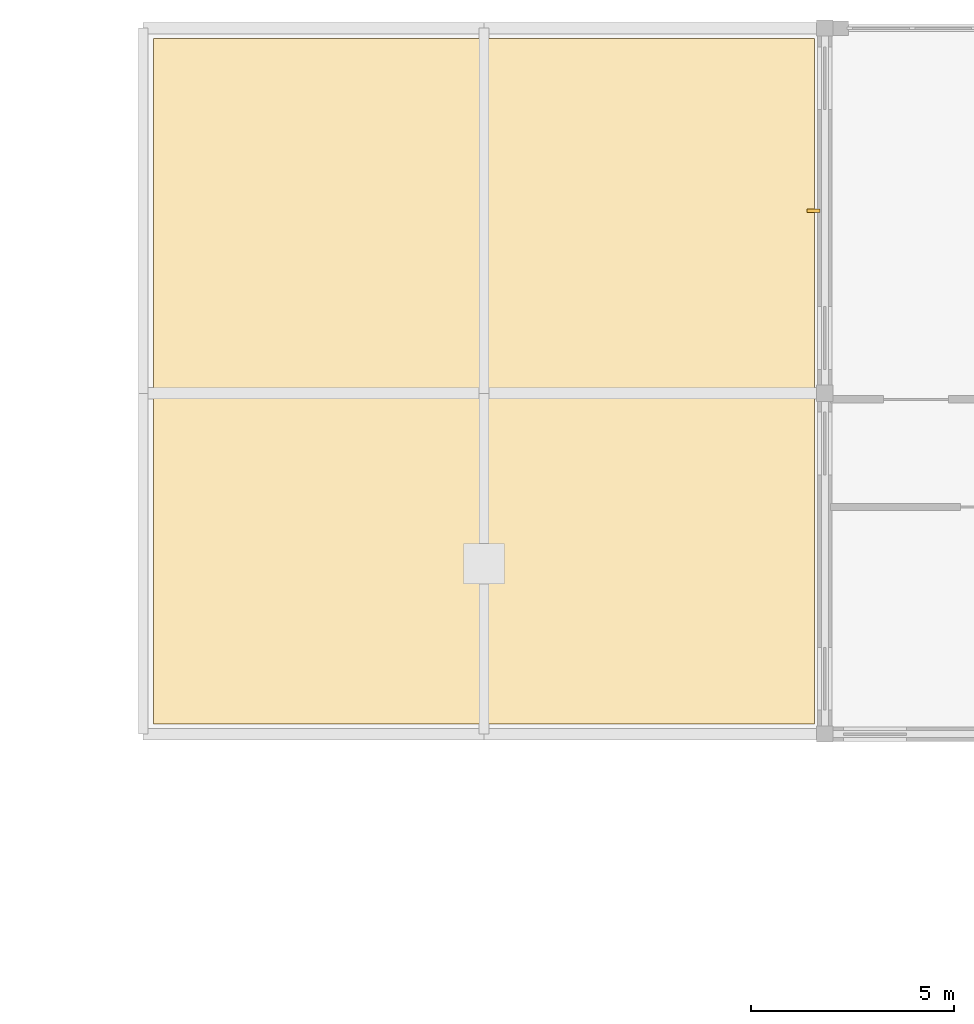
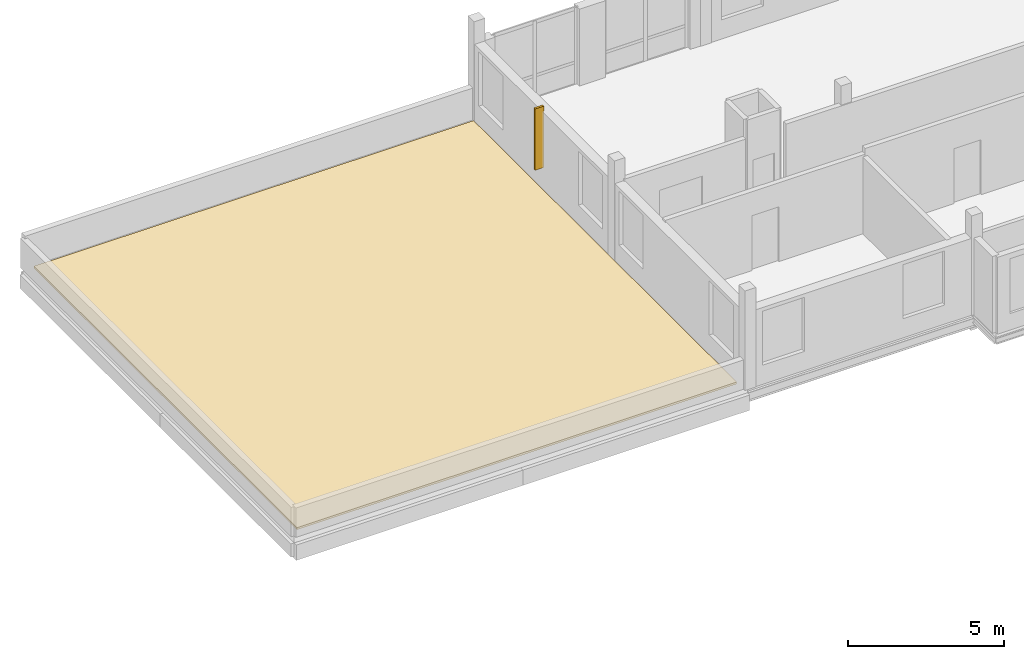
# One storey, part 56 of 57: 1 covering, 1 shading device.
"""IFC4 building model written with IfcOpenShell, lengths in metres."""

import ifcopenshell
import ifcopenshell.guid

model = None  # the IFC model being written
_history = None  # IfcOwnerHistory: only IFC2X3 demands one
_inside = {}  # id of a spatial element -> (the spatial element, [elements in it])
_under = {}  # id of a project, library or spatial element -> (it, [spatial elements below it])
_declared = {}  # id of a project -> (the project, [libraries it declares])
_typed = {}  # id of a type object -> (the type object, [elements of that type])
_made_of = {}  # id of a material, layer set ... -> (it, [elements and type objects made of it])


def new_model(schema):
    """Start an empty IFC model of exactly this schema.

    Asked for "IFC4X3", IfcOpenShell would pick the latest addendum, in which some entities
    have other attributes; the version numbers below select the first issue.
    IFC2X3 requires an IfcOwnerHistory on every rooted entity: one is made here for all.
    """
    global model, _history
    if schema == "IFC4X3":
        model = ifcopenshell.file(schema_version=(4, 3, 0, 0))
    else:
        model = ifcopenshell.file(schema=schema)
    _inside.clear()
    _under.clear()
    _declared.clear()
    _typed.clear()
    _made_of.clear()
    _history = None
    if model.schema == "IFC2X3":
        org = make("IfcOrganization", Name="unknown")
        user = make(
            "IfcPersonAndOrganization",
            ThePerson=make("IfcPerson", FamilyName="unknown"),
            TheOrganization=org,
        )
        app = make(
            "IfcApplication",
            ApplicationDeveloper=org,
            Version="unknown",
            ApplicationFullName="unknown",
            ApplicationIdentifier="unknown",
        )
        _history = make(
            "IfcOwnerHistory",
            OwningUser=user,
            OwningApplication=app,
            ChangeAction="ADDED",
            CreationDate=0,
        )
    return model


def make(cls, **values):
    """One entity of the class cls with the attributes given. An attribute that is None is left unset."""
    return model.create_entity(
        cls, **{name: value for name, value in values.items() if value is not None}
    )


def rooted(cls, **values):
    """An entity with a GlobalId (a new one), such as an element, a storey or a relation."""
    return make(cls, GlobalId=ifcopenshell.guid.new(), OwnerHistory=_history, **values)


def si_unit(unit_type, name, prefix=None):
    """IfcSIUnit, for example si_unit("LENGTHUNIT", "METRE", prefix="MILLI")."""
    return make("IfcSIUnit", UnitType=unit_type, Prefix=prefix, Name=name)


def assignment(units):
    """IfcUnitAssignment: the units of a project."""
    return None if units is None else make("IfcUnitAssignment", Units=units)


def point(xyz):
    """IfcCartesianPoint."""
    return None if xyz is None else make("IfcCartesianPoint", Coordinates=xyz)


def direction(xyz):
    """IfcDirection."""
    return None if xyz is None else make("IfcDirection", DirectionRatios=xyz)


def frame(location, z_axis=None, x_axis=None):
    """IfcAxis2Placement3D, a coordinate frame: its origin and axes. An axis left out is left unset."""
    return make(
        "IfcAxis2Placement3D",
        Location=point(location),
        Axis=direction(z_axis),
        RefDirection=direction(x_axis),
    )


def frame_2d(location, x_axis=None):
    """IfcAxis2Placement2D, a coordinate frame in the plane: its origin and x axis."""
    return make(
        "IfcAxis2Placement2D", Location=point(location), RefDirection=direction(x_axis)
    )


def origin():
    """The frame at (0, 0, 0) with its axes left unset."""
    return frame((0.0, 0.0, 0.0))


def origin_2d():
    """The frame at (0, 0) in the plane with its x axis left unset."""
    return frame_2d((0.0, 0.0))


def place(relative_to, where):
    """IfcLocalPlacement: puts the frame where relative to a parent placement (None: the world)."""
    return make(
        "IfcLocalPlacement", PlacementRelTo=relative_to, RelativePlacement=where
    )


def context(
    kind, dimensions, precision=None, world=None, true_north=None, identifier=None
):
    """IfcGeometricRepresentationContext, for example the 3D "Model" context."""
    return make(
        "IfcGeometricRepresentationContext",
        ContextIdentifier=identifier,
        ContextType=kind,
        CoordinateSpaceDimension=dimensions,
        Precision=precision,
        WorldCoordinateSystem=world,
        TrueNorth=true_north,
    )


def subcontext(parent, identifier, kind, view, scale=None):
    """IfcGeometricRepresentationSubContext, for example "Body" below "Model"."""
    return make(
        "IfcGeometricRepresentationSubContext",
        ContextIdentifier=identifier,
        ContextType=kind,
        ParentContext=parent,
        TargetScale=scale,
        TargetView=view,
    )


def project(units=None, contexts=None):
    """IfcProject with its units and contexts."""
    return rooted(
        "IfcProject",
        Name="project",
        RepresentationContexts=contexts,
        UnitsInContext=assignment(units),
    )


def spatial(cls, under=None, at=None, **own):
    """A site, building, storey or space (cls), placed at a placement, below another one or the project."""
    s = rooted(cls, ObjectPlacement=at, **own)
    if under is not None:
        _under.setdefault(under.id(), (under, []))[1].append(s)
    return s


def polyline(points):
    """IfcPolyline through the points."""
    return make("IfcPolyline", Points=[point(p) for p in points])


def profile(cls, at=None, kind="AREA", **sizes):
    """A parametric profile (cls). Its sizes go by their IFC names, for example OverallWidth=200.0."""
    return make(cls, ProfileType=kind, Position=at, **sizes)


def rectangle(**sizes):
    """IfcRectangleProfileDef."""
    return profile("IfcRectangleProfileDef", **sizes)


def outline(outer, holes=None, kind="AREA"):
    """IfcArbitraryClosedProfileDef: a profile drawn as a closed curve; with holes, ...WithVoids."""
    if holes is None:
        return make("IfcArbitraryClosedProfileDef", ProfileType=kind, OuterCurve=outer)
    return make(
        "IfcArbitraryProfileDefWithVoids",
        ProfileType=kind,
        OuterCurve=outer,
        InnerCurves=holes,
    )


def extrude(swept, where, along, depth):
    """IfcExtrudedAreaSolid: the profile swept, set in the frame where, extruded along a direction by depth."""
    return make(
        "IfcExtrudedAreaSolid",
        SweptArea=swept,
        Position=where,
        ExtrudedDirection=direction(along),
        Depth=depth,
    )


def shape(context_of_items, identifier, shape_type, items):
    """IfcShapeRepresentation: the items that make up one representation, for example the "Body"."""
    return make(
        "IfcShapeRepresentation",
        ContextOfItems=context_of_items,
        RepresentationIdentifier=identifier,
        RepresentationType=shape_type,
        Items=items,
    )


def material(Name=None, Category=None):
    """IfcMaterial."""
    return make("IfcMaterial", Name=Name, Category=Category)


def layer(
    of_material, thickness, ventilated=None, Name=None, Category=None, Priority=None
):
    """IfcMaterialLayer: one layer of a wall or slab, of a material (None: an air gap)."""
    return make(
        "IfcMaterialLayer",
        Material=of_material,
        LayerThickness=thickness,
        IsVentilated=ventilated,
        Name=Name,
        Category=Category,
        Priority=Priority,
    )


def layer_set(layers, Name=None):
    """IfcMaterialLayerSet."""
    return make("IfcMaterialLayerSet", MaterialLayers=layers, LayerSetName=Name)


def made_of(thing, what):
    """Note that an element or type object is made of a material, layer set ...; save() writes the relation."""
    if what is not None:
        _made_of.setdefault(what.id(), (what, []))[1].append(thing)
    return thing


def type_object(cls, material=None, **own):
    """A type object (cls), such as IfcWallType, which elements share."""
    return made_of(rooted(cls, **own), material)


def element(
    cls,
    number,
    at=None,
    inside=None,
    cuts=None,
    type_object=None,
    material=None,
    context=None,
    identifier="Body",
    shape_type=None,
    held_by="IfcProductDefinitionShape",
    body=None,
    shapes=None,
    **own,
):
    """One element of the class cls, such as IfcWall. Its Tag is "e" and its number.

    at: its placement. inside: the storey or other place that contains it. cuts: it is an
    opening in that element (IfcRelVoidsElement). A single representation is given by context,
    identifier, shape_type and body (its items); several are given by shapes. held_by: the class
    of the entity that holds the representations. save() writes the other relations.
    """
    e = rooted(cls, Tag="e%d" % number, ObjectPlacement=at, **own)
    if body is not None:
        shapes = [shape(context, identifier, shape_type, body)]
    if shapes is not None:
        e.Representation = make(held_by, Representations=shapes)
    if inside is not None:
        _inside.setdefault(inside.id(), (inside, []))[1].append(e)
    if cuts is not None:
        rooted(
            "IfcRelVoidsElement", RelatingBuildingElement=cuts, RelatedOpeningElement=e
        )
    if type_object is not None:
        _typed.setdefault(type_object.id(), (type_object, []))[1].append(e)
    return made_of(e, material)


def aggregate(whole, parts):
    """IfcRelAggregates: a whole, such as a stair, and the parts it consists of."""
    return rooted("IfcRelAggregates", RelatingObject=whole, RelatedObjects=parts)


def save(model, path):
    """Write the relations noted so far, then the file.

    IfcRelAggregates (storeys below a building ...), IfcRelContainedInSpatialStructure (elements
    in a storey), IfcRelDefinesByType, IfcRelAssociatesMaterial and IfcRelDeclares: one each for
    every whole, place, type object, material and project.
    """
    for whole, parts in _under.values():
        aggregate(whole, parts)
    for where, things in _inside.values():
        rooted(
            "IfcRelContainedInSpatialStructure",
            RelatedElements=things,
            RelatingStructure=where,
        )
    for kind, things in _typed.values():
        rooted("IfcRelDefinesByType", RelatedObjects=things, RelatingType=kind)
    for what, things in _made_of.values():
        rooted("IfcRelAssociatesMaterial", RelatedObjects=things, RelatingMaterial=what)
    for by, libraries in _declared.values():
        rooted("IfcRelDeclares", RelatingContext=by, RelatedDefinitions=libraries)
    model.write(path)


model = new_model("IFC4")

# Units and contexts
model_context = context("Model", 3, precision=1e-05, world=origin(), true_north=direction((0.0, 1.0)))
body_context = subcontext(model_context, "Body", "Model", "MODEL_VIEW")
ifc_project = project(units=[si_unit("LENGTHUNIT", "METRE"), si_unit("AREAUNIT", "SQUARE_METRE"), si_unit("VOLUMEUNIT", "CUBIC_METRE"), si_unit("PLANEANGLEUNIT", "RADIAN"), si_unit("MASSUNIT", "GRAM", prefix="KILO")], contexts=[model_context])

# Site, building, storey
site_placement = place(None, origin())
site = spatial("IfcSite", under=ifc_project, at=site_placement, CompositionType="ELEMENT")
building_placement = place(site_placement, origin())
building = spatial("IfcBuilding", under=site, at=building_placement, Name="Kahlenmark Community Centre", CompositionType="ELEMENT")
storey_placement = place(building_placement, frame((0.0, 0.0, 13.800048828125)))
storey = spatial("IfcBuildingStorey", under=building, at=storey_placement, Name="L03", CompositionType="ELEMENT", Elevation=13.800048828125)

# Covering
ifc_material_1 = material(Name="Extensive sedum green roof substrate")
ifc_layer = layer(ifc_material_1, 0.080078125)
ifc_layer_set = layer_set([ifc_layer], Name="Extensive sedum green roof substrate")
covering_type = type_object("IfcCoveringType", Name="CVT-ROOF-GRN", PredefinedType="ROOFING", material=ifc_layer_set)
covering_placement = place(storey_placement, origin())
element("IfcCovering", 1, at=covering_placement, inside=storey, type_object=covering_type, Name="Roof membrane 02", PredefinedType="ROOFING", context=body_context, shape_type="SweptSolid", body=[
    extrude(outline(polyline([(12.64990234375, 97.85009765625), (28.949951171875, 97.85009765625), (28.949951171875, 114.75), (12.64990234375, 114.75), (12.64990234375, 97.85009765625)])), origin(), (0.0, 0.0, 1.0), 0.079833984375),
])

# Shading device
ifc_material_2 = material(Name="Extruded warm terracotta solar fin", Category="masonry")
shading_device_type = type_object("IfcShadingDeviceType", Name="SDT-FIN-320", PredefinedType="NOTDEFINED", material=ifc_material_2)
shading_device_placement = place(storey_placement, frame((28.919921875, 110.5, 0.800048828125), z_axis=(0.0, 0.0, 1.0), x_axis=(0.0, -1.0, 0.0)))
element("IfcShadingDevice", 2, at=shading_device_placement, inside=storey, type_object=shading_device_type, Name="Terracotta solar fin 0008", PredefinedType="NOTDEFINED", context=body_context, shape_type="SweptSolid", body=[
    extrude(rectangle(XDim=0.080078125, YDim=0.320068359375, at=origin_2d()), origin(), (0.0, 0.0, 1.0), 2.39990234375),
])

save(model, "model.ifc")
